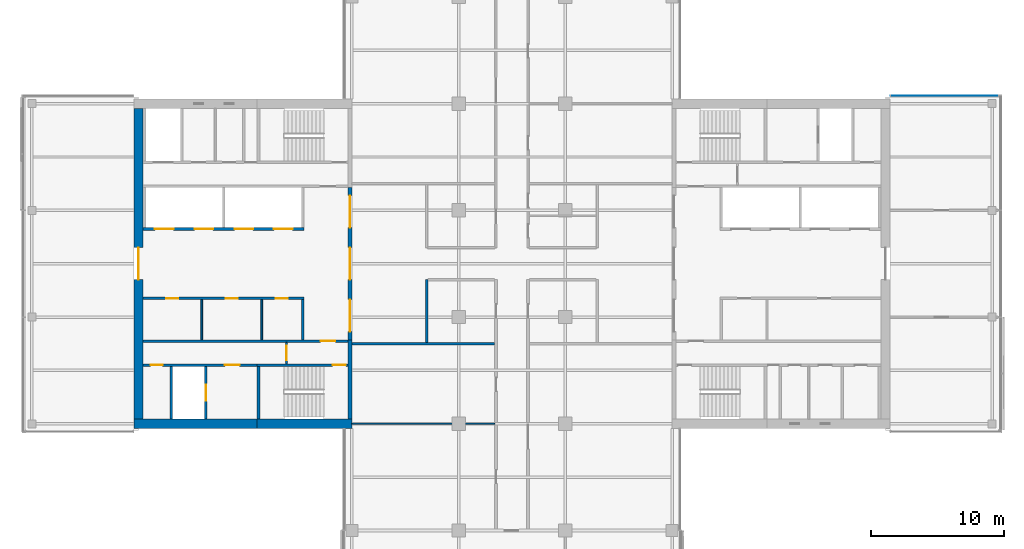
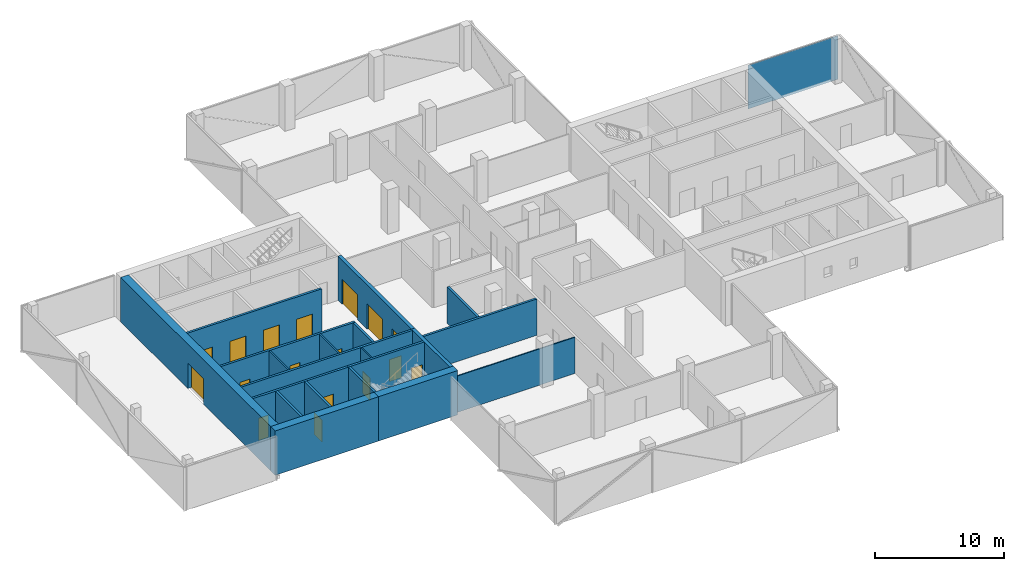
# One storey, part 13 of 22: 20 walls, 17 doors, 1 plate, 17 openings, 1 element without a shape of its own.
"""IFC4 building model written with IfcOpenShell, lengths in metres."""

from ifc_helpers import new_model, si_unit, direction, frame, frame_2d, origin, place, context, subcontext, project, spatial, polyline, rectangle, outline, extrude, material, layer, layer_set, constituent, constituent_set, type_object, element, fill, aggregate, save


model = new_model("IFC4")

# Units and contexts
model_context = context("Model", 3, precision=1e-05, world=origin(), true_north=direction((0.0, 1.0)))
body_context = subcontext(model_context, "Body", "Model", "MODEL_VIEW")
ifc_project = project(units=[si_unit("LENGTHUNIT", "METRE"), si_unit("AREAUNIT", "SQUARE_METRE"), si_unit("VOLUMEUNIT", "CUBIC_METRE"), si_unit("PLANEANGLEUNIT", "RADIAN"), si_unit("MASSUNIT", "GRAM", prefix="KILO")], contexts=[model_context])

# Site, building, storey
site_placement = place(None, origin())
site = spatial("IfcSite", under=ifc_project, at=site_placement, CompositionType="ELEMENT")
building_placement = place(site_placement, origin())
building = spatial("IfcBuilding", under=site, at=building_placement, Name="Crosswind Convention Tower", CompositionType="ELEMENT")
storey_placement = place(building_placement, frame((0.0, 0.0, 142.10009765625)))
storey = spatial("IfcBuildingStorey", under=building, at=storey_placement, Name="L29", CompositionType="ELEMENT", Elevation=142.10009765625)

# Curtain wall, plate
ifc_material_1 = material(Name="Aluminium unitised curtain wall", Category="aluminium")
curtain_wall_type = type_object("IfcCurtainWallType", Name="CORE END SLOT WALL 160", PredefinedType="USERDEFINED", material=ifc_material_1)
curtain_wall_placement = place(storey_placement, origin())
curtain_wall = element("IfcCurtainWall", 1, at=curtain_wall_placement, inside=storey, type_object=curtain_wall_type, Name="CW6 L29 E-N.1-1 slot", ObjectType="UNITISED", PredefinedType="USERDEFINED")
ifc_material_2 = material(Name="Laminated insulating glass unit", Category="glass")
ifc_layer_1 = layer(ifc_material_2, 0.02587890625)
ifc_layer_set_1 = layer_set([ifc_layer_1], Name="TRIANGULAR GLASS PANEL 26")
plate_type = type_object("IfcPlateType", Name="TRIANGULAR GLASS PANEL 26", PredefinedType="CURTAIN_PANEL", material=ifc_layer_set_1)
plate_placement = place(storey_placement, frame((161.449951171875, 112.60693359375, -0.300048828125), z_axis=(0.0, 0.999999915205, 0.00041181312), x_axis=(-1.0, 0.0, 0.0)))
plate = element("IfcPlate", 2, at=plate_placement, type_object=plate_type, Name="CW6 panel 1.1", PredefinedType="CURTAIN_PANEL", context=body_context, shape_type="SweptSolid", body=[
    extrude(outline(polyline([(0.0, 0.0), (8.050048828125, 0.0), (8.050048828125, 4.149902695641108), (0.0, 4.149902695641108), (0.0, 0.0)])), origin(), (0.0, 0.0, -1.0), 0.02587890625),
])
aggregate(curtain_wall, [plate])

# Walls
ifc_material_3 = material(Name="Concrete blockwork", Category="masonry")
ifc_layer_2 = layer(ifc_material_3, 0.199951171875)
ifc_layer_set_2 = layer_set([ifc_layer_2], Name="COMPARTMENT WALL 200 BLOCKWORK")
wall_type_1 = type_object("IfcWallType", Name="COMPARTMENT WALL 200 BLOCKWORK", PredefinedType="SOLIDWALL", material=ifc_layer_set_2)
wall_1_placement = place(storey_placement, frame((118.60009765625, 94.10009765625, 0.0), z_axis=(0.0, 0.0, 1.0), x_axis=(0.0, 1.0, 0.0)))
element("IfcWall", 3, at=wall_1_placement, inside=storey, type_object=wall_type_1, Name="Compartment wall WT42", PredefinedType="SOLIDWALL", context=body_context, shape_type="SweptSolid", body=[
    extrude(rectangle(XDim=4.699951171875, YDim=0.199951171875, at=frame_2d((2.35009765625, 0.0))), origin(), (0.0, 0.0, 1.0), 3.436279296875),
])
wall_2_placement = place(storey_placement, frame((113.0, 94.0, 0.0), z_axis=(0.0, 0.0, 1.0), x_axis=(1.0, 0.0, 0.0)))
element("IfcWall", 4, at=wall_2_placement, inside=storey, type_object=wall_type_1, Name="Compartment wall WT42", PredefinedType="SOLIDWALL", context=body_context, shape_type="SweptSolid", body=[
    extrude(rectangle(XDim=10.699951171875, YDim=0.199951171875, at=frame_2d((5.35009765625, 0.0))), origin(), (0.0, 0.0, 1.0), 3.436279296875),
])

# Wall, opening, door
ifc_material_4 = material(Name="Concrete C60/75", Category="concrete")
ifc_layer_3 = layer(ifc_material_4, 0.699951171875)
ifc_layer_set_3 = layer_set([ifc_layer_3], Name="Concrete C60/75")
wall_type_2 = type_object("IfcWallType", Name="Concrete core wall 700", PredefinedType="SHEAR", material=ifc_layer_set_3)
wall_3_placement = place(storey_placement, frame((97.0, 111.64990234375, 0.0), z_axis=(0.0, 0.0, 1.0), x_axis=(0.0, -1.0, 0.0)))
wall_3 = element("IfcWall", 5, at=wall_3_placement, inside=storey, type_object=wall_type_2, Name="Wall O W L29", PredefinedType="SHEAR", context=body_context, shape_type="SweptSolid", body=[
    extrude(rectangle(XDim=23.2998046875, YDim=0.699951171875, at=frame_2d((11.64990234375, 0.0))), origin(), (0.0, 0.0, 1.0), 4.199951171875),
])
opening_1_placement = place(wall_3_placement, frame((10.449951171875, 0.0, 0.0)))
opening_1 = element("IfcOpeningElement", 6, at=opening_1_placement, cuts=wall_3, Name="Opening D100", PredefinedType="OPENING", context=body_context, shape_type="SweptSolid", body=[
    extrude(rectangle(XDim=2.39990234375, YDim=2.39990234375, at=frame_2d((1.199951171875, 1.199951171875))), frame((0.0, 0.35986328125, 0.0), z_axis=(0.0, -1.0, 0.0), x_axis=(1.0, 0.0, 0.0)), (0.0, 0.0, 1.0), 0.719970703125),
])
ifc_material_5 = material(Name="Steel fire door with glazed vision panels", Category="steel")
door_type_1 = type_object("IfcDoorType", Name="Fire-rated double door 2400x2400", OperationType="DOUBLE_DOOR_SINGLE_SWING", PredefinedType="DOOR", material=ifc_material_5)
door_1_placement = place(opening_1_placement, frame((2.39990234375, 0.0, 0.0), z_axis=(0.0, 0.0, 1.0), x_axis=(-1.0, 0.0, 0.0)))
door_1 = element("IfcDoor", 7, at=door_1_placement, inside=storey, type_object=door_type_1, Name="Lobby outer door L29", ObjectType="D100", OperationType="DOUBLE_DOOR_SINGLE_SWING", OverallHeight=2.39990234375, OverallWidth=2.39990234375, PredefinedType="DOOR", context=body_context, shape_type="SweptSolid", body=[
    extrude(rectangle(XDim=2.39990234375, YDim=2.39990234375, at=frame_2d((1.199951171875, 1.199951171875))), frame((0.0, 0.02490234375, 0.0), z_axis=(0.0, -1.0, 0.0), x_axis=(1.0, 0.0, 0.0)), (0.0, 0.0, 1.0), 0.050048828125),
])
fill(opening_1, door_1)

# Wall, openings, doors
ifc_material_6 = material(Name="Concrete C50/60", Category="concrete")
ifc_layer_4 = layer(ifc_material_6, 0.300048828125)
ifc_layer_set_4 = layer_set([ifc_layer_4], Name="Concrete C50/60")
wall_type_3 = type_object("IfcWallType", Name="Concrete inner core wall 300", PredefinedType="SHEAR", material=ifc_layer_set_4)
wall_4_placement = place(storey_placement, frame((112.85009765625, 105.699951171875, 0.0), z_axis=(0.0, 0.0, 1.0), x_axis=(0.0, -1.0, 0.0)))
wall_4 = element("IfcWall", 8, at=wall_4_placement, inside=storey, type_object=wall_type_3, Name="Wall SCR W L29", PredefinedType="SHEAR", context=body_context, shape_type="SweptSolid", body=[
    extrude(rectangle(XDim=11.39990234375, YDim=0.300048828125, at=frame_2d((5.699951171875, 0.0))), origin(), (0.0, 0.0, 1.0), 4.199951171875),
])
opening_2_placement = place(wall_4_placement, frame((0.60009765625, 0.0, 0.0)))
opening_2 = element("IfcOpeningElement", 9, at=opening_2_placement, cuts=wall_4, Name="Opening D100", PredefinedType="OPENING", context=body_context, shape_type="SweptSolid", body=[
    extrude(rectangle(XDim=2.39990234375, YDim=2.39990234375, at=frame_2d((1.199951171875, 1.199951171875))), frame((0.0, 0.159912109375, 0.0), z_axis=(0.0, -1.0, 0.0), x_axis=(1.0, 0.0, 0.0)), (0.0, 0.0, 1.0), 0.320068359375),
])
opening_3_placement = place(wall_4_placement, frame((4.5, 0.0, 0.0)))
opening_3 = element("IfcOpeningElement", 10, at=opening_3_placement, cuts=wall_4, Name="Opening D100", PredefinedType="OPENING", context=body_context, shape_type="SweptSolid", body=[
    extrude(rectangle(XDim=2.39990234375, YDim=2.39990234375, at=frame_2d((1.199951171875, 1.199951171875))), frame((0.0, 0.159912109375, 0.0), z_axis=(0.0, -1.0, 0.0), x_axis=(1.0, 0.0, 0.0)), (0.0, 0.0, 1.0), 0.320068359375),
])
opening_4_placement = place(wall_4_placement, frame((8.39990234375, 0.0, 0.0)))
opening_4 = element("IfcOpeningElement", 11, at=opening_4_placement, cuts=wall_4, Name="Opening D100", PredefinedType="OPENING", context=body_context, shape_type="SweptSolid", body=[
    extrude(rectangle(XDim=2.39990234375, YDim=2.39990234375, at=frame_2d((1.199951171875, 1.199951171875))), frame((0.0, 0.159912109375, 0.0), z_axis=(0.0, -1.0, 0.0), x_axis=(1.0, 0.0, 0.0)), (0.0, 0.0, 1.0), 0.320068359375),
])
door_2_placement = place(opening_2_placement, origin())
door_2 = element("IfcDoor", 12, at=door_2_placement, inside=storey, type_object=door_type_1, Name="Lobby door 1 L29", ObjectType="D100", OperationType="DOUBLE_DOOR_SINGLE_SWING", OverallHeight=2.39990234375, OverallWidth=2.39990234375, PredefinedType="DOOR", context=body_context, shape_type="SweptSolid", body=[
    extrude(rectangle(XDim=2.39990234375, YDim=2.39990234375, at=frame_2d((1.199951171875, 1.199951171875))), frame((0.0, 0.02490234375, 0.0), z_axis=(0.0, -1.0, 0.0), x_axis=(1.0, 0.0, 0.0)), (0.0, 0.0, 1.0), 0.050048828125),
])
fill(opening_2, door_2)
door_3_placement = place(opening_3_placement, origin())
door_3 = element("IfcDoor", 13, at=door_3_placement, inside=storey, type_object=door_type_1, Name="Lobby door 2 L29", ObjectType="D100", OperationType="DOUBLE_DOOR_SINGLE_SWING", OverallHeight=2.39990234375, OverallWidth=2.39990234375, PredefinedType="DOOR", context=body_context, shape_type="SweptSolid", body=[
    extrude(rectangle(XDim=2.39990234375, YDim=2.39990234375, at=frame_2d((1.199951171875, 1.199951171875))), frame((0.0, 0.02490234375, 0.0), z_axis=(0.0, -1.0, 0.0), x_axis=(1.0, 0.0, 0.0)), (0.0, 0.0, 1.0), 0.050048828125),
])
fill(opening_3, door_3)
door_4_placement = place(opening_4_placement, origin())
door_4 = element("IfcDoor", 14, at=door_4_placement, inside=storey, type_object=door_type_1, Name="Lobby door 3 L29", ObjectType="D100", OperationType="DOUBLE_DOOR_SINGLE_SWING", OverallHeight=2.39990234375, OverallWidth=2.39990234375, PredefinedType="DOOR", context=body_context, shape_type="SweptSolid", body=[
    extrude(rectangle(XDim=2.39990234375, YDim=2.39990234375, at=frame_2d((1.199951171875, 1.199951171875))), frame((0.0, 0.02490234375, 0.0), z_axis=(0.0, -1.0, 0.0), x_axis=(1.0, 0.0, 0.0)), (0.0, 0.0, 1.0), 0.050048828125),
])
fill(opening_4, door_4)

# Walls
wall_5_placement = place(storey_placement, frame((112.85009765625, 94.300048828125, 0.0), z_axis=(0.0, 0.0, 1.0), x_axis=(0.0, -1.0, 0.0)))
element("IfcWall", 15, at=wall_5_placement, inside=storey, type_object=wall_type_3, Name="Wall EP W L29", PredefinedType="SHEAR", context=body_context, shape_type="SweptSolid", body=[
    extrude(rectangle(XDim=5.949951171875, YDim=0.300048828125, at=frame_2d((2.97509765625, 0.0))), origin(), (0.0, 0.0, 1.0), 4.199951171875),
])
ifc_layer_5 = layer(ifc_material_6, 0.199951171875)
ifc_layer_set_5 = layer_set([ifc_layer_5], Name="Concrete C50/60")
wall_type_4 = type_object("IfcWallType", Name="Concrete shaft and stair wall 200", PredefinedType="SHEAR", material=ifc_layer_set_5)
wall_6_placement = place(storey_placement, frame((109.300048828125, 97.300048828125, 0.0), z_axis=(0.0, 0.0, 1.0), x_axis=(0.0, -1.0, 0.0)))
element("IfcWall", 16, at=wall_6_placement, inside=storey, type_object=wall_type_4, Name="Wall RPEND W L29", PredefinedType="SHEAR", context=body_context, shape_type="SweptSolid", body=[
    extrude(rectangle(XDim=3.0, YDim=0.199951171875, at=frame_2d((1.5, 0.0))), origin(), (0.0, 0.0, 1.0), 4.199951171875),
])

# Wall, openings, doors
wall_7_placement = place(storey_placement, frame((109.39990234375, 97.39990234375, 0.0), z_axis=(0.0, 0.0, 1.0), x_axis=(-1.0, 0.0, 0.0)))
wall_7 = element("IfcWall", 17, at=wall_7_placement, inside=storey, type_object=wall_type_4, Name="Wall RPFRONT W L29", PredefinedType="SHEAR", context=body_context, shape_type="SweptSolid", body=[
    extrude(rectangle(XDim=12.0498046875, YDim=0.199951171875, at=frame_2d((6.02490234375, 0.0))), origin(), (0.0, 0.0, 1.0), 4.199951171875),
])
opening_5_placement = place(wall_7_placement, frame((1.199951171875, 0.0, 0.0)))
opening_5 = element("IfcOpeningElement", 18, at=opening_5_placement, cuts=wall_7, Name="Opening D106", PredefinedType="OPENING", context=body_context, shape_type="SweptSolid", body=[
    extrude(rectangle(XDim=0.89990234375, YDim=2.10009765625, at=frame_2d((0.449951171875, 1.050048828125))), frame((0.0, 0.10986328125, 0.0), z_axis=(0.0, -1.0, 0.0), x_axis=(1.0, 0.0, 0.0)), (0.0, 0.0, 1.0), 0.219970703125),
])
opening_6_placement = place(wall_7_placement, frame((4.964111328125, 0.0, 0.0)))
opening_6 = element("IfcOpeningElement", 19, at=opening_6_placement, cuts=wall_7, Name="Opening D106", PredefinedType="OPENING", context=body_context, shape_type="SweptSolid", body=[
    extrude(rectangle(XDim=0.89990234375, YDim=2.10009765625, at=frame_2d((0.449951171875, 1.050048828125))), frame((0.0, 0.10986328125, 0.0), z_axis=(0.0, -1.0, 0.0), x_axis=(1.0, 0.0, 0.0)), (0.0, 0.0, 1.0), 0.219970703125),
])
opening_7_placement = place(wall_7_placement, frame((9.43896484375, 0.0, 0.0)))
opening_7 = element("IfcOpeningElement", 20, at=opening_7_placement, cuts=wall_7, Name="Opening D106", PredefinedType="OPENING", context=body_context, shape_type="SweptSolid", body=[
    extrude(rectangle(XDim=0.89990234375, YDim=2.10009765625, at=frame_2d((0.449951171875, 1.050048828125))), frame((0.0, 0.10986328125, 0.0), z_axis=(0.0, -1.0, 0.0), x_axis=(1.0, 0.0, 0.0)), (0.0, 0.0, 1.0), 0.219970703125),
])
ifc_material_7 = material(Name="Timber door", Category="wood")
door_type_2 = type_object("IfcDoorType", Name="Single leaf door 900x2100", OperationType="NOTDEFINED", PredefinedType="DOOR", material=ifc_material_7)
door_5_placement = place(opening_5_placement, origin())
door_5 = element("IfcDoor", 21, at=door_5_placement, inside=storey, type_object=door_type_2, Name="Door to meeting room L29", ObjectType="D106", OperationType="SINGLE_SWING_RIGHT", OverallHeight=2.10009765625, OverallWidth=0.89990234375, PredefinedType="DOOR", context=body_context, shape_type="SweptSolid", body=[
    extrude(rectangle(XDim=0.89990234375, YDim=2.10009765625, at=frame_2d((0.449951171875, 1.050048828125))), frame((0.0, 0.02490234375, 0.0), z_axis=(0.0, -1.0, 0.0), x_axis=(1.0, 0.0, 0.0)), (0.0, 0.0, 1.0), 0.050048828125),
])
fill(opening_5, door_5)
door_6_placement = place(opening_6_placement, origin())
door_6 = element("IfcDoor", 22, at=door_6_placement, inside=storey, type_object=door_type_2, Name="Door to pantry L29", ObjectType="D106", OperationType="SINGLE_SWING_RIGHT", OverallHeight=2.10009765625, OverallWidth=0.89990234375, PredefinedType="DOOR", context=body_context, shape_type="SweptSolid", body=[
    extrude(rectangle(XDim=0.89990234375, YDim=2.10009765625, at=frame_2d((0.449951171875, 1.050048828125))), frame((0.0, 0.02490234375, 0.0), z_axis=(0.0, -1.0, 0.0), x_axis=(1.0, 0.0, 0.0)), (0.0, 0.0, 1.0), 0.050048828125),
])
fill(opening_6, door_6)
door_7_placement = place(opening_7_placement, origin())
door_7 = element("IfcDoor", 23, at=door_7_placement, inside=storey, type_object=door_type_2, Name="Door to telecoms room L29", ObjectType="D106", OperationType="SINGLE_SWING_RIGHT", OverallHeight=2.10009765625, OverallWidth=0.89990234375, PredefinedType="DOOR", context=body_context, shape_type="SweptSolid", body=[
    extrude(rectangle(XDim=0.89990234375, YDim=2.10009765625, at=frame_2d((0.449951171875, 1.050048828125))), frame((0.0, 0.02490234375, 0.0), z_axis=(0.0, -1.0, 0.0), x_axis=(1.0, 0.0, 0.0)), (0.0, 0.0, 1.0), 0.050048828125),
])
fill(opening_7, door_7)

wall_8_placement = place(storey_placement, frame((109.39990234375, 102.60009765625, 0.0), z_axis=(0.0, 0.0, 1.0), x_axis=(-1.0, 0.0, 0.0)))
wall_8 = element("IfcWall", 24, at=wall_8_placement, inside=storey, type_object=wall_type_4, Name="Wall RMFRONT W L29", PredefinedType="SHEAR", context=body_context, shape_type="SweptSolid", body=[
    extrude(rectangle(XDim=12.0498046875, YDim=0.199951171875, at=frame_2d((6.02490234375, 0.0))), origin(), (0.0, 0.0, 1.0), 4.199951171875),
])
opening_8_placement = place(wall_8_placement, frame((0.85009765625, 0.0, 0.0)))
opening_8 = element("IfcOpeningElement", 25, at=opening_8_placement, cuts=wall_8, Name="Opening LD2", PredefinedType="OPENING", context=body_context, shape_type="SweptSolid", body=[
    extrude(rectangle(XDim=1.39990234375, YDim=2.10009765625, at=frame_2d((0.699951171875, 1.050048828125))), frame((0.0, 0.10986328125, 0.0), z_axis=(0.0, -1.0, 0.0), x_axis=(1.0, 0.0, 0.0)), (0.0, 0.0, 1.0), 0.219970703125),
])
opening_9_placement = place(wall_8_placement, frame((3.800048828125, 0.0, 0.0)))
opening_9 = element("IfcOpeningElement", 26, at=opening_9_placement, cuts=wall_8, Name="Opening LD2", PredefinedType="OPENING", context=body_context, shape_type="SweptSolid", body=[
    extrude(rectangle(XDim=1.39990234375, YDim=2.10009765625, at=frame_2d((0.699951171875, 1.050048828125))), frame((0.0, 0.10986328125, 0.0), z_axis=(0.0, -1.0, 0.0), x_axis=(1.0, 0.0, 0.0)), (0.0, 0.0, 1.0), 0.219970703125),
])
opening_10_placement = place(wall_8_placement, frame((6.800048828125, 0.0, 0.0)))
opening_10 = element("IfcOpeningElement", 27, at=opening_10_placement, cuts=wall_8, Name="Opening LD2", PredefinedType="OPENING", context=body_context, shape_type="SweptSolid", body=[
    extrude(rectangle(XDim=1.39990234375, YDim=2.10009765625, at=frame_2d((0.699951171875, 1.050048828125))), frame((0.0, 0.10986328125, 0.0), z_axis=(0.0, -1.0, 0.0), x_axis=(1.0, 0.0, 0.0)), (0.0, 0.0, 1.0), 0.219970703125),
])
opening_11_placement = place(wall_8_placement, frame((9.77490234375, 0.0, 0.0)))
opening_11 = element("IfcOpeningElement", 28, at=opening_11_placement, cuts=wall_8, Name="Opening LD2", PredefinedType="OPENING", context=body_context, shape_type="SweptSolid", body=[
    extrude(rectangle(XDim=1.39990234375, YDim=2.10009765625, at=frame_2d((0.699951171875, 1.050048828125))), frame((0.0, 0.10986328125, 0.0), z_axis=(0.0, -1.0, 0.0), x_axis=(1.0, 0.0, 0.0)), (0.0, 0.0, 1.0), 0.219970703125),
])
ifc_material_8 = material(Name="Stainless steel", Category="steel")
door_type_3 = type_object("IfcDoorType", Name="Lift landing door 1400x2100", OperationType="DOUBLE_DOOR_SLIDING", PredefinedType="DOOR", material=ifc_material_8)
door_8_placement = place(opening_8_placement, origin())
door_8 = element("IfcDoor", 29, at=door_8_placement, inside=storey, type_object=door_type_3, Name="Landing door A5 L29", ObjectType="LD2", OperationType="DOUBLE_DOOR_SLIDING", OverallHeight=2.10009765625, OverallWidth=1.39990234375, PredefinedType="DOOR", context=body_context, shape_type="SweptSolid", body=[
    extrude(rectangle(XDim=1.39990234375, YDim=2.10009765625, at=frame_2d((0.699951171875, 1.050048828125))), frame((0.0, 0.02490234375, 0.0), z_axis=(0.0, -1.0, 0.0), x_axis=(1.0, 0.0, 0.0)), (0.0, 0.0, 1.0), 0.050048828125),
])
fill(opening_8, door_8)
door_9_placement = place(opening_9_placement, origin())
door_9 = element("IfcDoor", 30, at=door_9_placement, inside=storey, type_object=door_type_3, Name="Landing door A6 L29", ObjectType="LD2", OperationType="DOUBLE_DOOR_SLIDING", OverallHeight=2.10009765625, OverallWidth=1.39990234375, PredefinedType="DOOR", context=body_context, shape_type="SweptSolid", body=[
    extrude(rectangle(XDim=1.39990234375, YDim=2.10009765625, at=frame_2d((0.699951171875, 1.050048828125))), frame((0.0, 0.02490234375, 0.0), z_axis=(0.0, -1.0, 0.0), x_axis=(1.0, 0.0, 0.0)), (0.0, 0.0, 1.0), 0.050048828125),
])
fill(opening_9, door_9)
door_10_placement = place(opening_10_placement, origin())
door_10 = element("IfcDoor", 31, at=door_10_placement, inside=storey, type_object=door_type_3, Name="Landing door A7 L29", ObjectType="LD2", OperationType="DOUBLE_DOOR_SLIDING", OverallHeight=2.10009765625, OverallWidth=1.39990234375, PredefinedType="DOOR", context=body_context, shape_type="SweptSolid", body=[
    extrude(rectangle(XDim=1.39990234375, YDim=2.10009765625, at=frame_2d((0.699951171875, 1.050048828125))), frame((0.0, 0.02490234375, 0.0), z_axis=(0.0, -1.0, 0.0), x_axis=(1.0, 0.0, 0.0)), (0.0, 0.0, 1.0), 0.050048828125),
])
fill(opening_10, door_10)
door_11_placement = place(opening_11_placement, origin())
door_11 = element("IfcDoor", 32, at=door_11_placement, inside=storey, type_object=door_type_3, Name="Landing door A8 L29", ObjectType="LD2", OperationType="DOUBLE_DOOR_SLIDING", OverallHeight=2.10009765625, OverallWidth=1.39990234375, PredefinedType="DOOR", context=body_context, shape_type="SweptSolid", body=[
    extrude(rectangle(XDim=1.39990234375, YDim=2.10009765625, at=frame_2d((0.699951171875, 1.050048828125))), frame((0.0, 0.02490234375, 0.0), z_axis=(0.0, -1.0, 0.0), x_axis=(1.0, 0.0, 0.0)), (0.0, 0.0, 1.0), 0.050048828125),
])
fill(opening_11, door_11)

# Wall, opening, door
wall_9_placement = place(storey_placement, frame((112.699951171875, 94.199951171875, 0.0), z_axis=(0.0, 0.0, 1.0), x_axis=(-1.0, 0.0, 0.0)))
wall_9 = element("IfcWall", 33, at=wall_9_placement, inside=storey, type_object=wall_type_4, Name="Wall HP W L29", PredefinedType="SHEAR", context=body_context, shape_type="SweptSolid", body=[
    extrude(rectangle(XDim=15.349853515625, YDim=0.199951171875, at=frame_2d((7.6748046875, 0.0))), origin(), (0.0, 0.0, 1.0), 4.199951171875),
])
opening_12_placement = place(wall_9_placement, frame((0.949951171875, 0.0, 0.0)))
opening_12 = element("IfcOpeningElement", 34, at=opening_12_placement, cuts=wall_9, Name="Opening D104", PredefinedType="OPENING", context=body_context, shape_type="SweptSolid", body=[
    extrude(rectangle(XDim=1.10009765625, YDim=2.10009765625, at=frame_2d((0.550048828125, 1.050048828125))), frame((0.0, 0.10986328125, 0.0), z_axis=(0.0, -1.0, 0.0), x_axis=(1.0, 0.0, 0.0)), (0.0, 0.0, 1.0), 0.219970703125),
])
ifc_material_9 = material(Name="Steel fire door", Category="steel")
door_type_4 = type_object("IfcDoorType", Name="Fire-rated single door 1100x2100", OperationType="NOTDEFINED", PredefinedType="DOOR", material=ifc_material_9)
door_12_placement = place(opening_12_placement, origin())
door_12 = element("IfcDoor", 35, at=door_12_placement, inside=storey, type_object=door_type_4, Name="Corridor door L29", ObjectType="D104", OperationType="SINGLE_SWING_LEFT", OverallHeight=2.10009765625, OverallWidth=1.10009765625, PredefinedType="DOOR", context=body_context, shape_type="SweptSolid", body=[
    extrude(rectangle(XDim=1.10009765625, YDim=2.10009765625, at=frame_2d((0.550048828125, 1.050048828125))), frame((0.0, 0.02490234375, 0.0), z_axis=(0.0, -1.0, 0.0), x_axis=(1.0, 0.0, 0.0)), (0.0, 0.0, 1.0), 0.050048828125),
])
fill(opening_12, door_12)

# Wall
wall_10_placement = place(storey_placement, frame((106.0, 92.300048828125, 0.0), z_axis=(0.0, 0.0, 1.0), x_axis=(0.0, -1.0, 0.0)))
element("IfcWall", 36, at=wall_10_placement, inside=storey, type_object=wall_type_4, Name="Wall PSE W L29", PredefinedType="SHEAR", context=body_context, shape_type="SweptSolid", body=[
    extrude(rectangle(XDim=3.949951171875, YDim=0.199951171875, at=frame_2d((1.97509765625, 0.0))), origin(), (0.0, 0.0, 1.0), 4.199951171875),
])

# Wall, opening, door
wall_11_placement = place(storey_placement, frame((102.050048828125, 92.300048828125, 0.0), z_axis=(0.0, 0.0, 1.0), x_axis=(0.0, -1.0, 0.0)))
wall_11 = element("IfcWall", 37, at=wall_11_placement, inside=storey, type_object=wall_type_4, Name="Wall PFLW W L29", PredefinedType="SHEAR", context=body_context, shape_type="SweptSolid", body=[
    extrude(rectangle(XDim=3.949951171875, YDim=0.199951171875, at=frame_2d((1.97509765625, 0.0))), origin(), (0.0, 0.0, 1.0), 4.199951171875),
])
opening_13_placement = place(wall_11_placement, frame((1.375, 0.0, 0.0)))
opening_13 = element("IfcOpeningElement", 38, at=opening_13_placement, cuts=wall_11, Name="Opening LD1", PredefinedType="OPENING", context=body_context, shape_type="SweptSolid", body=[
    extrude(rectangle(XDim=1.199951171875, YDim=2.10009765625, at=frame_2d((0.60009765625, 1.050048828125))), frame((0.0, 0.10986328125, 0.0), z_axis=(0.0, -1.0, 0.0), x_axis=(1.0, 0.0, 0.0)), (0.0, 0.0, 1.0), 0.219970703125),
])
door_type_5 = type_object("IfcDoorType", Name="Lift landing door 1200x2100", OperationType="DOUBLE_DOOR_SLIDING", PredefinedType="DOOR", material=ifc_material_8)
door_13_placement = place(opening_13_placement, origin())
door_13 = element("IfcDoor", 39, at=door_13_placement, inside=storey, type_object=door_type_5, Name="Landing door FF2 L29", ObjectType="LD1", OperationType="DOUBLE_DOOR_SLIDING", OverallHeight=2.10009765625, OverallWidth=1.199951171875, PredefinedType="DOOR", context=body_context, shape_type="SweptSolid", body=[
    extrude(rectangle(XDim=1.199951171875, YDim=2.10009765625, at=frame_2d((0.60009765625, 1.050048828125))), frame((0.0, 0.02490234375, 0.0), z_axis=(0.0, -1.0, 0.0), x_axis=(1.0, 0.0, 0.0)), (0.0, 0.0, 1.0), 0.050048828125),
])
fill(opening_13, door_13)

# Wall
wall_12_placement = place(storey_placement, frame((99.449951171875, 92.300048828125, 0.0), z_axis=(0.0, 0.0, 1.0), x_axis=(0.0, -1.0, 0.0)))
element("IfcWall", 40, at=wall_12_placement, inside=storey, type_object=wall_type_4, Name="Wall PFSE W L29", PredefinedType="SHEAR", context=body_context, shape_type="SweptSolid", body=[
    extrude(rectangle(XDim=3.949951171875, YDim=0.199951171875, at=frame_2d((1.97509765625, 0.0))), origin(), (0.0, 0.0, 1.0), 4.199951171875),
])

# Wall, opening, door
wall_13_placement = place(storey_placement, frame((112.699951171875, 92.39990234375, 0.0), z_axis=(0.0, 0.0, 1.0), x_axis=(-1.0, 0.0, 0.0)))
wall_13 = element("IfcWall", 41, at=wall_13_placement, inside=storey, type_object=wall_type_4, Name="Wall PCW W L29", PredefinedType="SHEAR", context=body_context, shape_type="SweptSolid", body=[
    extrude(rectangle(XDim=6.800048828125, YDim=0.199951171875, at=frame_2d((3.39990234375, 0.0))), origin(), (0.0, 0.0, 1.0), 4.199951171875),
])
opening_14_placement = place(wall_13_placement, frame((0.14990234375, 0.0, 0.0)))
opening_14 = element("IfcOpeningElement", 42, at=opening_14_placement, cuts=wall_13, Name="Opening D103", PredefinedType="OPENING", context=body_context, shape_type="SweptSolid", body=[
    extrude(rectangle(XDim=1.0, YDim=2.10009765625, at=frame_2d((0.5, 1.050048828125))), frame((0.0, 0.10986328125, 0.0), z_axis=(0.0, -1.0, 0.0), x_axis=(1.0, 0.0, 0.0)), (0.0, 0.0, 1.0), 0.219970703125),
])
door_type_6 = type_object("IfcDoorType", Name="Fire-rated single door 1000x2100", OperationType="NOTDEFINED", PredefinedType="DOOR", material=ifc_material_9)
door_14_placement = place(opening_14_placement, origin())
door_14 = element("IfcDoor", 43, at=door_14_placement, inside=storey, type_object=door_type_6, Name="Stair ST3 door L29", ObjectType="D103", OperationType="SINGLE_SWING_LEFT", OverallHeight=2.10009765625, OverallWidth=1.0, PredefinedType="DOOR", context=body_context, shape_type="SweptSolid", body=[
    extrude(rectangle(XDim=1.0, YDim=2.10009765625, at=frame_2d((0.5, 1.050048828125))), frame((0.0, 0.02490234375, 0.0), z_axis=(0.0, -1.0, 0.0), x_axis=(1.0, 0.0, 0.0)), (0.0, 0.0, 1.0), 0.050048828125),
])
fill(opening_14, door_14)

# Wall, openings, doors
wall_14_placement = place(storey_placement, frame((105.89990234375, 92.39990234375, 0.0), z_axis=(0.0, 0.0, 1.0), x_axis=(-1.0, 0.0, 0.0)))
wall_14 = element("IfcWall", 44, at=wall_14_placement, inside=storey, type_object=wall_type_4, Name="Wall PCX W L29", PredefinedType="SHEAR", context=body_context, shape_type="SweptSolid", body=[
    extrude(rectangle(XDim=8.5498046875, YDim=0.199951171875, at=frame_2d((4.27490234375, 0.0))), origin(), (0.0, 0.0, 1.0), 4.199951171875),
])
opening_15_placement = place(wall_14_placement, frame((1.324951171875, 0.0, 0.0)))
opening_15 = element("IfcOpeningElement", 45, at=opening_15_placement, cuts=wall_14, Name="Opening D104", PredefinedType="OPENING", context=body_context, shape_type="SweptSolid", body=[
    extrude(rectangle(XDim=1.10009765625, YDim=2.10009765625, at=frame_2d((0.550048828125, 1.050048828125))), frame((0.0, 0.10986328125, 0.0), z_axis=(0.0, -1.0, 0.0), x_axis=(1.0, 0.0, 0.0)), (0.0, 0.0, 1.0), 0.219970703125),
])
opening_16_placement = place(wall_14_placement, frame((7.10009765625, 0.0, 0.0)))
opening_16 = element("IfcOpeningElement", 46, at=opening_16_placement, cuts=wall_14, Name="Opening D106", PredefinedType="OPENING", context=body_context, shape_type="SweptSolid", body=[
    extrude(rectangle(XDim=0.89990234375, YDim=2.10009765625, at=frame_2d((0.449951171875, 1.050048828125))), frame((0.0, 0.10986328125, 0.0), z_axis=(0.0, -1.0, 0.0), x_axis=(1.0, 0.0, 0.0)), (0.0, 0.0, 1.0), 0.219970703125),
])
door_15_placement = place(opening_15_placement, origin())
door_15 = element("IfcDoor", 47, at=door_15_placement, inside=storey, type_object=door_type_4, Name="Fire-fighting lobby FF2 door L29", ObjectType="D104", OperationType="SINGLE_SWING_RIGHT", OverallHeight=2.10009765625, OverallWidth=1.10009765625, PredefinedType="DOOR", context=body_context, shape_type="SweptSolid", body=[
    extrude(rectangle(XDim=1.10009765625, YDim=2.10009765625, at=frame_2d((0.550048828125, 1.050048828125))), frame((0.0, 0.02490234375, 0.0), z_axis=(0.0, -1.0, 0.0), x_axis=(1.0, 0.0, 0.0)), (0.0, 0.0, 1.0), 0.050048828125),
])
fill(opening_15, door_15)
door_16_placement = place(opening_16_placement, origin())
door_16 = element("IfcDoor", 48, at=door_16_placement, inside=storey, type_object=door_type_2, Name="Door to cleaners' store L29", ObjectType="D106", OperationType="SINGLE_SWING_RIGHT", OverallHeight=2.10009765625, OverallWidth=0.89990234375, PredefinedType="DOOR", context=body_context, shape_type="SweptSolid", body=[
    extrude(rectangle(XDim=0.89990234375, YDim=2.10009765625, at=frame_2d((0.449951171875, 1.050048828125))), frame((0.0, 0.02490234375, 0.0), z_axis=(0.0, -1.0, 0.0), x_axis=(1.0, 0.0, 0.0)), (0.0, 0.0, 1.0), 0.050048828125),
])
fill(opening_16, door_16)

# Walls
ifc_material_10 = material(Name="Gypsum plasterboard partition", Category="gypsum")
ifc_layer_6 = layer(ifc_material_10, 0.125)
ifc_layer_set_6 = layer_set([ifc_layer_6], Name="Drywall partition wall 125")
wall_type_5 = type_object("IfcWallType", Name="Drywall partition wall 125", PredefinedType="PARTITIONING", material=ifc_layer_set_6)
for number, where, z_axis, x_axis, name in (
    (49, (106.237548828125, 97.300048828125, 0.0), (0.0, 0.0, 1.0), (0.0, -1.0, 0.0), "Wall RPP1 W L29"),
    (50, (101.734619140625, 97.300048828125, 0.0), (0.0, 0.0, 1.0), (0.0, -1.0, 0.0), "Wall RPP2 W L29"),
):
    element("IfcWall", number, at=place(storey_placement, frame(where, z_axis=z_axis, x_axis=x_axis)), inside=storey, type_object=wall_type_5, Name=name, PredefinedType="PARTITIONING", context=body_context, shape_type="SweptSolid", body=[
        extrude(rectangle(XDim=3.0, YDim=0.125, at=frame_2d((1.5, 0.0))), origin(), (0.0, 0.0, 1.0), 4.199951171875),
    ])

# Wall, opening, door
wall_15_placement = place(storey_placement, frame((108.10009765625, 94.10009765625, 0.0), z_axis=(0.0, 0.0, 1.0), x_axis=(0.0, -1.0, 0.0)))
wall_15 = element("IfcWall", 51, at=wall_15_placement, inside=storey, type_object=wall_type_5, Name="Wall PXC1 W L29", PredefinedType="PARTITIONING", context=body_context, shape_type="SweptSolid", body=[
    extrude(rectangle(XDim=1.60009765625, YDim=0.125, at=frame_2d((0.800048828125, 0.0))), origin(), (0.0, 0.0, 1.0), 4.199951171875),
])
opening_17_placement = place(wall_15_placement, frame((0.25, 0.0, 0.0)))
opening_17 = element("IfcOpeningElement", 52, at=opening_17_placement, cuts=wall_15, Name="Opening D104", PredefinedType="OPENING", context=body_context, shape_type="SweptSolid", body=[
    extrude(rectangle(XDim=1.10009765625, YDim=2.10009765625, at=frame_2d((0.550048828125, 1.050048828125))), frame((0.0, 0.072509765625, 0.0), z_axis=(0.0, -1.0, 0.0), x_axis=(1.0, 0.0, 0.0)), (0.0, 0.0, 1.0), 0.14501953125),
])
door_17_placement = place(opening_17_placement, origin())
door_17 = element("IfcDoor", 53, at=door_17_placement, inside=storey, type_object=door_type_4, Name="Corridor smoke door L29", ObjectType="D104", OperationType="SINGLE_SWING_RIGHT", OverallHeight=2.10009765625, OverallWidth=1.10009765625, PredefinedType="DOOR", context=body_context, shape_type="SweptSolid", body=[
    extrude(rectangle(XDim=1.10009765625, YDim=2.10009765625, at=frame_2d((0.550048828125, 1.050048828125))), frame((0.0, 0.02490234375, 0.0), z_axis=(0.0, -1.0, 0.0), x_axis=(1.0, 0.0, 0.0)), (0.0, 0.0, 1.0), 0.050048828125),
])
fill(opening_17, door_17)

# Walls
ifc_material_11 = material(Name="Plasterboard partition", Category="gypsum")
ifc_layer_7 = layer(ifc_material_11, 0.10009765625)
ifc_layer_set_7 = layer_set([ifc_layer_7], Name="PARTITION 100 METAL STUD")
wall_type_6 = type_object("IfcWallType", Name="PARTITION 100 METAL STUD", PredefinedType="PARTITIONING", material=ifc_layer_set_7)
wall_16_placement = place(storey_placement, frame((113.0, 88.0, 0.0), z_axis=(0.0, 0.0, 1.0), x_axis=(1.0, 0.0, 0.0)))
element("IfcWall", 54, at=wall_16_placement, inside=storey, type_object=wall_type_6, Name="Partition wall WT40", PredefinedType="PARTITIONING", context=body_context, shape_type="SweptSolid", body=[
    extrude(rectangle(XDim=10.699951171875, YDim=0.10009765625, at=frame_2d((5.35009765625, 0.0))), origin(), (0.0, 0.0, 1.0), 3.436279296875),
])
ifc_constituent_1 = constituent(ifc_material_4, Name="Structure")
ifc_material_12 = material(Name="Terracotta rainscreen", Category="ceramic")
ifc_constituent_2 = constituent(ifc_material_12, Name="Facing")
ifc_constituent_set = constituent_set(constituents=[ifc_constituent_1, ifc_constituent_2], Name="Concrete C60/75, Terracotta rainscreen")
wall_type_7 = type_object("IfcWallType", Name="Terracotta rainscreen on concrete core wall 700", PredefinedType="SHEAR", material=ifc_constituent_set)
wall_17_placement = place(storey_placement, frame((113.0, 88.0, 0.0), z_axis=(0.0, 0.0, 1.0), x_axis=(-1.0, 0.0, 0.0)))
element("IfcWall", 55, at=wall_17_placement, inside=storey, type_object=wall_type_7, Name="Wall N1 W L29", PredefinedType="SHEAR", context=body_context, shape_type="SweptSolid", body=[
    extrude(rectangle(XDim=7.10009765625, YDim=0.699951171875, at=frame_2d((3.550048828125, 0.0))), origin(), (0.0, 0.0, 1.0), 4.199951171875),
])
wall_18_placement = place(storey_placement, frame((105.89990234375, 88.0, 0.0), z_axis=(0.0, 0.0, 1.0), x_axis=(-1.0, 0.0, 0.0)))
element("IfcWall", 56, at=wall_18_placement, inside=storey, type_object=wall_type_7, Name="Wall N2 W L29", PredefinedType="SHEAR", context=body_context, shape_type="SweptSolid", body=[
    extrude(rectangle(XDim=9.25, YDim=0.699951171875, at=frame_2d((4.625, 0.0))), origin(), (0.0, 0.0, 1.0), 4.199951171875),
])

save(model, "model.ifc")
